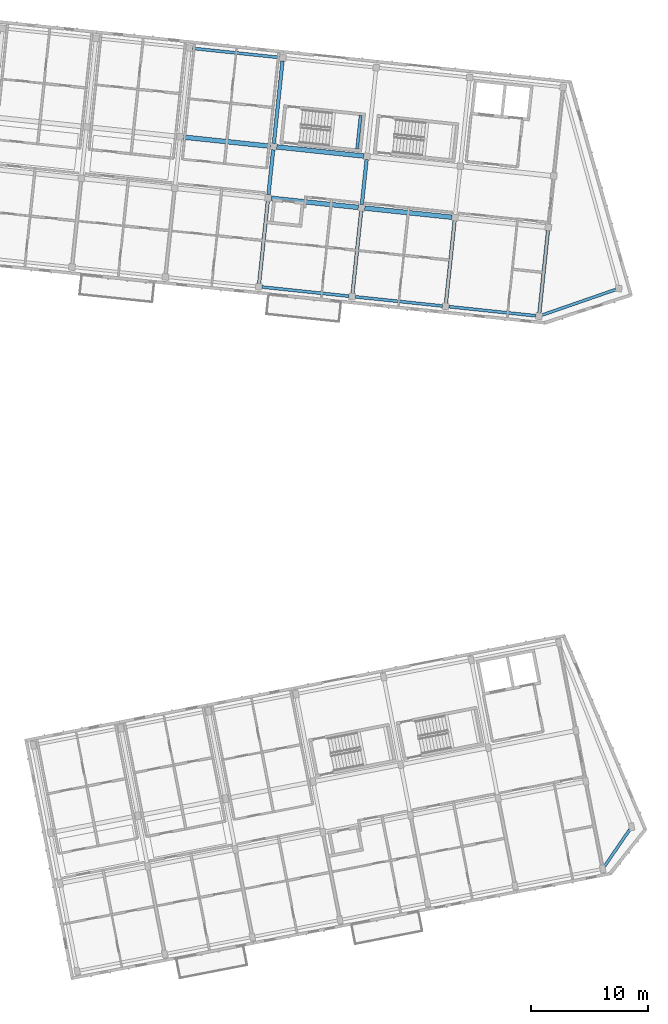
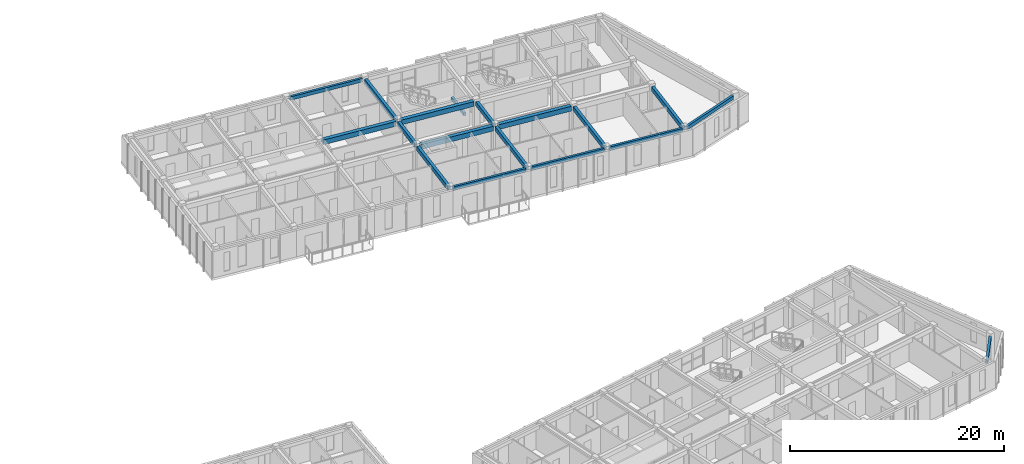
# One storey, part 13 of 68: 18 beams.
"""IFC4 building model written with IfcOpenShell, lengths in metres."""

from ifc_helpers import new_model, si_unit, direction, frame, origin, origin_2d, place, context, subcontext, project, spatial, rectangle, extrude, material, material_profile, profile_set, type_object, element, save


model = new_model("IFC4")

# Units and contexts
model_context = context("Model", 3, precision=1e-05, world=origin(), true_north=direction((0.0, 1.0)))
body_context = subcontext(model_context, "Body", "Model", "MODEL_VIEW")
ifc_project = project(units=[si_unit("LENGTHUNIT", "METRE"), si_unit("AREAUNIT", "SQUARE_METRE"), si_unit("VOLUMEUNIT", "CUBIC_METRE"), si_unit("PLANEANGLEUNIT", "RADIAN"), si_unit("MASSUNIT", "GRAM", prefix="KILO")], contexts=[model_context])

# Site, building, storey
site_placement = place(None, origin())
site = spatial("IfcSite", under=ifc_project, at=site_placement, CompositionType="ELEMENT")
building_placement = place(site_placement, origin())
building = spatial("IfcBuilding", under=site, at=building_placement, Name="Kestramere Prow Commons", CompositionType="ELEMENT")
storey_placement = place(building_placement, frame((0.0, 0.0, 18.14990234375)))
storey = spatial("IfcBuildingStorey", under=building, at=storey_placement, Name="L05", CompositionType="ELEMENT", Elevation=18.14990234375)

# Beams
ifc_material_1 = material(Name="Precast concrete C40/50", Category="concrete")
ifc_material_profile_1 = material_profile(ifc_material_1, rectangle(XDim=0.39990234375, YDim=0.550048828125, at=origin_2d()), Name="PC-BM 400x550")
ifc_profile_set_1 = profile_set([ifc_material_profile_1], Name="Precast concrete C40/50")
beam_type_1 = type_object("IfcBeamType", Name="BM-B1 PC-BM 400x550", PredefinedType="BEAM", material=ifc_profile_set_1)
for number, where, z_axis, x_axis, name in (
    (1, (134.9365234375, 99.821044921875, 2.72509765625), (0.994520884665, -0.104538079019, 0.0), (0.104538079019, 0.994520884665, 0.0), "Block B L05 Longitudinal Beam 2-4"),
    (2, (142.892578125, 98.984619140625, 2.72509765625), (0.994524291149, -0.104505666419, 0.0), (0.104505666419, 0.994524291149, 0.0), "Block B L05 Longitudinal Beam 2-5"),
    (3, (127.440185546875, 105.032958984375, 2.72509765625), (0.994524291149, -0.104505666419, 0.0), (0.104505666419, 0.994524291149, 0.0), "Block B L05 Longitudinal Beam 3-3"),
):
    element("IfcBeam", number, at=place(storey_placement, frame(where, z_axis=z_axis, x_axis=x_axis)), inside=storey, type_object=beam_type_1, Name=name, PredefinedType="BEAM", context=body_context, shape_type="SweptSolid", body=[
        extrude(rectangle(XDim=0.39990234375, YDim=0.550048828125, at=origin_2d()), origin(), (0.0, 0.0, 1.0), 7.449951171875),
    ])
beam_1_placement = place(storey_placement, frame((135.396240234375, 104.19677734375, 2.72509765625), z_axis=(0.994524649035, -0.104502260561, 0.0), x_axis=(0.104502260561, 0.994524649035, 0.0)))
element("IfcBeam", 4, at=beam_1_placement, inside=storey, type_object=beam_type_1, Name="Block B L05 Longitudinal Beam 3-4", PredefinedType="BEAM", context=body_context, shape_type="SweptSolid", body=[
    extrude(rectangle(XDim=0.39990234375, YDim=0.550048828125, at=origin_2d()), origin(), (0.0, 0.0, 1.0), 7.4501953125),
])
ifc_material_2 = material(Name="Concrete C40/50", Category="concrete")
ifc_material_profile_2 = material_profile(ifc_material_2, rectangle(XDim=0.25, YDim=0.35009765625, at=origin_2d()), Name="PC-BM 250x350")
ifc_profile_set_2 = profile_set([ifc_material_profile_2], Name="Concrete C40/50")
beam_type_2 = type_object("IfcBeamType", Name="BM-ST-TRIM", PredefinedType="BEAM", material=ifc_profile_set_2)
beam_2_placement = place(storey_placement, frame((142.2392578125, 104.010498046875, 1.25), z_axis=(0.104579248847, 0.994516556278, 0.0), x_axis=(-0.994516556278, 0.104579248847, 0.0)))
element("IfcBeam", 5, at=beam_2_placement, inside=storey, type_object=beam_type_2, Name="ST-B1 L05 Landing Trimmer Beam 1B", PredefinedType="BEAM", context=body_context, shape_type="SweptSolid", body=[
    extrude(rectangle(XDim=0.25, YDim=0.35009765625, at=origin_2d()), origin(), (0.0, 0.0, 1.0), 2.89013671875),
])
ifc_material_profile_3 = material_profile(ifc_material_1, rectangle(XDim=0.300048828125, YDim=0.5, at=origin_2d()), Name="PC-BM 300x500")
ifc_profile_set_3 = profile_set([ifc_material_profile_3], Name="Precast concrete C40/50")
beam_type_3 = type_object("IfcBeamType", Name="BM-TIE-01 PC-BM 300x500", PredefinedType="BEAM", material=ifc_profile_set_3)
beam_3_placement = place(storey_placement, frame((133.897216796875, 92.564697265625, 2.75), z_axis=(0.104545981508, 0.994520053971, 0.0), x_axis=(-0.994520053971, 0.104545981508, 0.0)))
element("IfcBeam", 6, at=beam_3_placement, inside=storey, type_object=beam_type_3, Name="Block B L05 Transverse Beam 4-1", PredefinedType="BEAM", context=body_context, shape_type="SweptSolid", body=[
    extrude(rectangle(XDim=0.300048828125, YDim=0.5, at=origin_2d()), origin(), (0.0, 0.0, 1.0), 7.050048828125),
])
beam_4_placement = place(storey_placement, frame((134.691650390625, 100.123291015625, 2.75), z_axis=(0.104569249198, 0.994517607749, 0.0), x_axis=(-0.994517607749, 0.104569249198, 0.0)))
element("IfcBeam", 7, at=beam_4_placement, inside=storey, type_object=beam_type_3, Name="Block B L05 Transverse Beam 4-2", PredefinedType="BEAM", context=body_context, shape_type="SweptSolid", body=[
    extrude(rectangle(XDim=0.300048828125, YDim=0.5, at=origin_2d()), origin(), (0.0, 0.0, 1.0), 3.849853515625),
])
for number, where, z_axis, x_axis, name in (
    (8, (135.151611328125, 104.4990234375, 2.75), (0.104511730475, 0.994523653913, 0.0), (-0.994523653913, 0.104511730475, 0.0), "Block B L05 Transverse Beam 4-3"),
    (9, (141.853515625, 91.728515625, 2.75), (0.104511730475, 0.994523653913, 0.0), (-0.994523653913, 0.104511730475, 0.0), "Block B L05 Transverse Beam 5-1"),
):
    element("IfcBeam", number, at=place(storey_placement, frame(where, z_axis=z_axis, x_axis=x_axis)), inside=storey, type_object=beam_type_3, Name=name, PredefinedType="BEAM", context=body_context, shape_type="SweptSolid", body=[
        extrude(rectangle(XDim=0.300048828125, YDim=0.5, at=origin_2d()), origin(), (0.0, 0.0, 1.0), 7.050048828125),
    ])
beam_5_placement = place(storey_placement, frame((142.64794921875, 99.286865234375, 2.75), z_axis=(0.104499937761, 0.994524893106, 0.0), x_axis=(-0.994524893106, 0.104499937761, 0.0)))
element("IfcBeam", 10, at=beam_5_placement, inside=storey, type_object=beam_type_3, Name="Block B L05 Transverse Beam 5-2", PredefinedType="BEAM", context=body_context, shape_type="SweptSolid", body=[
    extrude(rectangle(XDim=0.300048828125, YDim=0.5, at=origin_2d()), origin(), (0.0, 0.0, 1.0), 3.85009765625),
])
for number, where, z_axis, x_axis, name in (
    (11, (149.8095703125, 90.892333984375, 2.75), (0.104545981508, 0.994520053971, 0.0), (-0.994520053971, 0.104545981508, 0.0), "Block B L05 Transverse Beam 6-1"),
    (12, (157.765869140625, 90.05615234375, 2.75), (0.104511730475, 0.994523653913, 0.0), (-0.994523653913, 0.104511730475, 0.0), "Block B L05 Transverse Beam 7-1"),
):
    element("IfcBeam", number, at=place(storey_placement, frame(where, z_axis=z_axis, x_axis=x_axis)), inside=storey, type_object=beam_type_3, Name=name, PredefinedType="BEAM", context=body_context, shape_type="SweptSolid", body=[
        extrude(rectangle(XDim=0.300048828125, YDim=0.5, at=origin_2d()), origin(), (0.0, 0.0, 1.0), 7.050048828125),
    ])
ifc_material_profile_4 = material_profile(ifc_material_1, rectangle(XDim=0.25, YDim=0.39990234375, at=origin_2d()), Name="PC-SP 250x400")
ifc_profile_set_4 = profile_set([ifc_material_profile_4], Name="Precast concrete C40/50")
beam_type_4 = type_object("IfcBeamType", Name="SP-EXT-01 PC-SP 250x400", PredefinedType="SPANDREL", material=ifc_profile_set_4)
beam_6_placement = place(storey_placement, frame((158.00146484375, 89.87451171875, 2.800048828125), z_axis=(0.944739829863, 0.327821069901, 0.0), x_axis=(-0.327821069901, 0.944739829863, 0.0)))
element("IfcBeam", 13, at=beam_6_placement, inside=storey, type_object=beam_type_4, Name="Block B L05 Prow Facet Beam S", PredefinedType="SPANDREL", context=body_context, shape_type="SweptSolid", body=[
    extrude(rectangle(XDim=0.25, YDim=0.39990234375, at=origin_2d()), origin(), (0.0, 0.0, 1.0), 6.619873046875),
])
for number, where, z_axis, x_axis, name in (
    (14, (134.14208984375, 92.262451171875, 2.800048828125), (0.994524291149, -0.104505666419, 0.0), (0.104505666419, 0.994524291149, 0.0), "Block B L05 Longitudinal Beam 1-4"),
    (15, (142.09814453125, 91.42626953125, 2.800048828125), (0.994524291149, -0.104505666419, 0.0), (0.104505666419, 0.994524291149, 0.0), "Block B L05 Longitudinal Beam 1-5"),
    (16, (150.054443359375, 90.590087890625, 2.800048828125), (0.994520884665, -0.104538079019, 0.0), (0.104538079019, 0.994520884665, 0.0), "Block B L05 Longitudinal Beam 1-6"),
    (17, (128.234619140625, 112.59130859375, 2.800048828125), (0.994524291149, -0.104505666419, 0.0), (0.104505666419, 0.994524291149, 0.0), "Block B L05 Longitudinal Beam 4-3"),
):
    element("IfcBeam", number, at=place(storey_placement, frame(where, z_axis=z_axis, x_axis=x_axis)), inside=storey, type_object=beam_type_4, Name=name, PredefinedType="SPANDREL", context=body_context, shape_type="SweptSolid", body=[
        extrude(rectangle(XDim=0.25, YDim=0.39990234375, at=origin_2d()), origin(), (0.0, 0.0, 1.0), 7.449951171875),
    ])
beam_7_placement = place(storey_placement, frame((163.320556640625, 42.931640625, 2.800048828125), z_axis=(0.565935255914, 0.824449686829, 0.0), x_axis=(-0.824449686829, 0.565935255914, 0.0)))
element("IfcBeam", 18, at=beam_7_placement, inside=storey, type_object=beam_type_4, Name="Block D L05 Prow Facet Beam S", PredefinedType="SPANDREL", context=body_context, shape_type="SweptSolid", body=[
    extrude(rectangle(XDim=0.25, YDim=0.39990234375, at=origin_2d()), origin(), (0.0, 0.0, 1.0), 3.788818359375),
])

save(model, "model.ifc")
